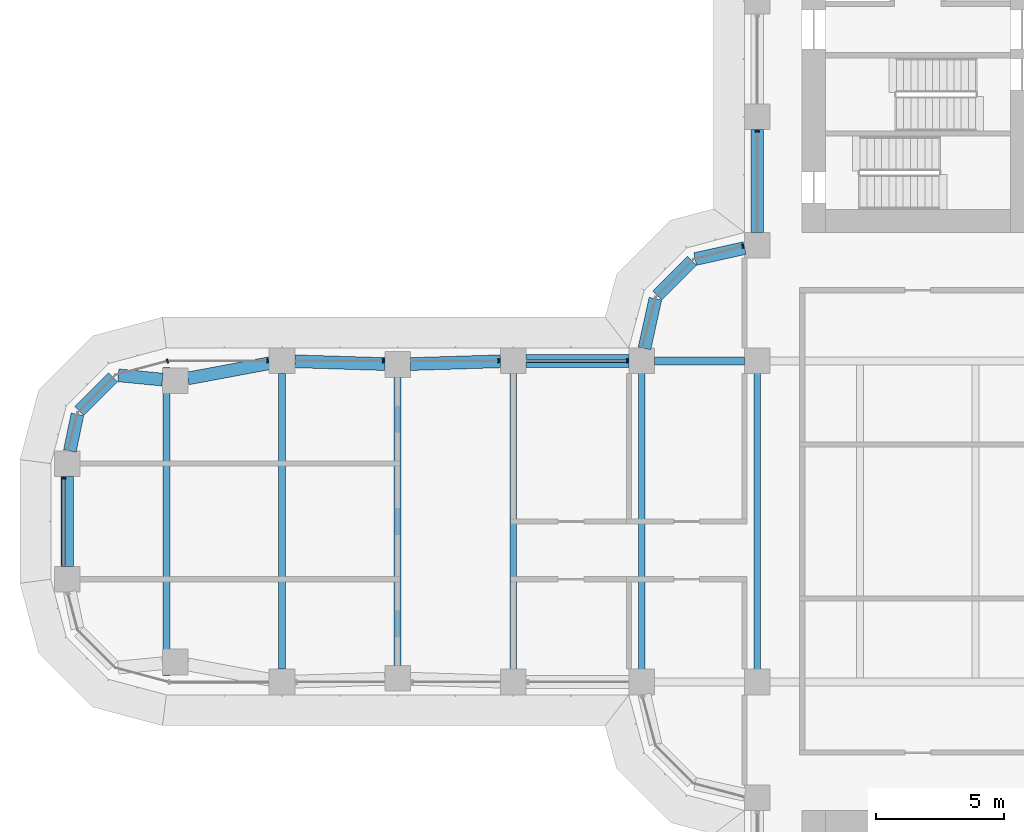
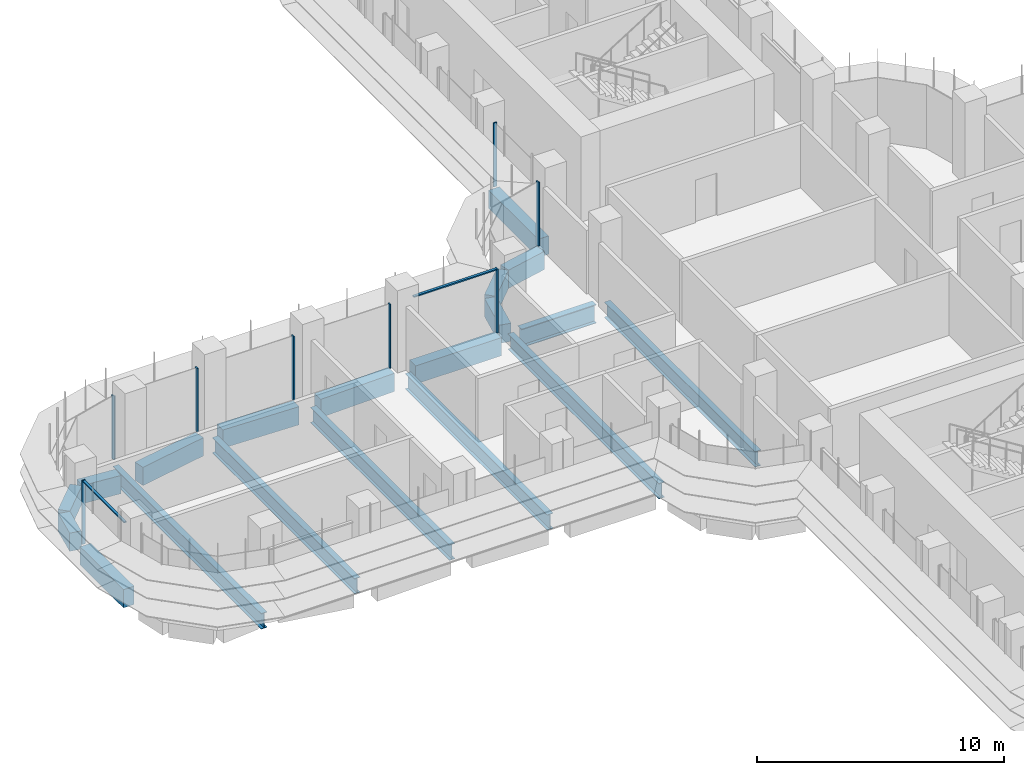
# One storey, part 6 of 23: 19 beams, 10 members, 5 elements without a shape of their own.
"""IFC4 building model written with IfcOpenShell, lengths in metres."""

from ifc_helpers import new_model, si_unit, direction, frame, origin, origin_2d, place, context, subcontext, project, spatial, polyline, rectangle, i_section, outline, extrude, source, transform, mapped, material, material_profile, profile_set, type_object, element, aggregate, save


model = new_model("IFC4")

# Units and contexts
model_context = context("Model", 3, precision=1e-05, world=origin(), true_north=direction((0.0, 1.0)))
body_context = subcontext(model_context, "Body", "Model", "MODEL_VIEW")
ifc_project = project(units=[si_unit("LENGTHUNIT", "METRE"), si_unit("AREAUNIT", "SQUARE_METRE"), si_unit("VOLUMEUNIT", "CUBIC_METRE"), si_unit("PLANEANGLEUNIT", "RADIAN"), si_unit("MASSUNIT", "GRAM", prefix="KILO")], contexts=[model_context])

# Site, building, storey
site_placement = place(None, origin())
site = spatial("IfcSite", under=ifc_project, at=site_placement, CompositionType="ELEMENT")
building_placement = place(site_placement, origin())
building = spatial("IfcBuilding", under=site, at=building_placement, Name="Zarbagh Exchange Tower", CompositionType="ELEMENT")
storey_placement = place(building_placement, frame((0.0, 0.0, 31.199951171875)))
storey = spatial("IfcBuildingStorey", under=building, at=storey_placement, Name="L06", CompositionType="ELEMENT", Elevation=31.199951171875)

# Beams
ifc_material_1 = material(Name="Steel ASTM A992 Gr 50", Category="steel")
ifc_material_profile_1 = material_profile(ifc_material_1, i_section(OverallWidth=0.2666015625, OverallDepth=0.76708984375, WebThickness=0.014892578125, FlangeThickness=0.023681640625, at=origin_2d()), Name="W30X124")
ifc_profile_set_1 = profile_set([ifc_material_profile_1], Name="Steel ASTM A992 Gr 50")
beam_type_1 = type_object("IfcBeamType", Name="Floor beam W30X124", PredefinedType="BEAM", material=ifc_profile_set_1)
for number, where, z_axis, x_axis, name in (
    (1, (-10.75, -6.09765625, -0.533447265625), (0.0, 1.0, 0.0), (-1.0, 0.0, 0.0), "Steel floor beam"),
    (2, (-6.25, -6.09765625, -0.533447265625), (0.0, 1.0, 0.0), (-1.0, 0.0, 0.0), "Steel floor beam"),
):
    element("IfcBeam", number, at=place(storey_placement, frame(where, z_axis=z_axis, x_axis=x_axis)), inside=storey, type_object=beam_type_1, Name=name, PredefinedType="BEAM", context=body_context, shape_type="SweptSolid", body=[
        extrude(i_section(OverallWidth=0.2666015625, OverallDepth=0.76708984375, WebThickness=0.014892578125, FlangeThickness=0.023681640625, at=origin_2d()), origin(), (0.0, 0.0, 1.0), 12.1953125),
    ])
beam_1_placement = place(storey_placement, frame((-15.75, -5.75, -0.533447265625), z_axis=(0.0, 1.0, 0.0), x_axis=(-1.0, 0.0, 0.0)))
element("IfcBeam", 3, at=beam_1_placement, inside=storey, type_object=beam_type_1, Name="Steel floor beam", PredefinedType="BEAM", context=body_context, shape_type="SweptSolid", body=[
    extrude(i_section(OverallWidth=0.2666015625, OverallDepth=0.76708984375, WebThickness=0.014892578125, FlangeThickness=0.023681640625, at=origin_2d()), origin(), (0.0, 0.0, 1.0), 11.5),
])
beam_2_placement = place(storey_placement, frame((-20.25, -5.610107421875, -0.533447265625), z_axis=(0.0, 1.0, 0.0), x_axis=(-1.0, 0.0, 0.0)))
element("IfcBeam", 4, at=beam_2_placement, inside=storey, type_object=beam_type_1, Name="Steel floor beam", PredefinedType="BEAM", context=body_context, shape_type="SweptSolid", body=[
    extrude(i_section(OverallWidth=0.2666015625, OverallDepth=0.76708984375, WebThickness=0.014892578125, FlangeThickness=0.023681640625, at=origin_2d()), origin(), (0.0, 0.0, 1.0), 11.22021484375),
])
beam_3_placement = place(storey_placement, frame((-24.75, -5.75, -0.533447265625), z_axis=(0.0, 1.0, 0.0), x_axis=(-1.0, 0.0, 0.0)))
element("IfcBeam", 5, at=beam_3_placement, inside=storey, type_object=beam_type_1, Name="Steel floor beam", PredefinedType="BEAM", context=body_context, shape_type="SweptSolid", body=[
    extrude(i_section(OverallWidth=0.2666015625, OverallDepth=0.76708984375, WebThickness=0.014892578125, FlangeThickness=0.023681640625, at=origin_2d()), origin(), (0.0, 0.0, 1.0), 11.5),
])
beam_4_placement = place(storey_placement, frame((-29.25, -6.0, -0.533447265625), z_axis=(0.0, 1.0, 0.0), x_axis=(-1.0, 0.0, 0.0)))
element("IfcBeam", 6, at=beam_4_placement, inside=storey, type_object=beam_type_1, Name="Steel floor beam", PredefinedType="BEAM", context=body_context, shape_type="SweptSolid", body=[
    extrude(i_section(OverallWidth=0.2666015625, OverallDepth=0.76708984375, WebThickness=0.014892578125, FlangeThickness=0.023681640625, at=origin_2d()), origin(), (0.0, 0.0, 1.0), 12.0),
])
ifc_material_profile_2 = material_profile(ifc_material_1, i_section(OverallWidth=0.3046875, OverallDepth=0.91943359375, WebThickness=0.017333984375, FlangeThickness=0.02783203125, at=origin_2d()), Name="W36X170")
ifc_profile_set_2 = profile_set([ifc_material_profile_2], Name="Steel ASTM A992 Gr 50")
beam_type_2 = type_object("IfcBeamType", Name="Floor girder W36X170", PredefinedType="BEAM", material=ifc_profile_set_2)
beam_5_placement = place(storey_placement, frame((-10.25, 6.25, -0.609619140625), z_axis=(1.0, 0.0, 0.0), x_axis=(0.0, 1.0, 0.0)))
element("IfcBeam", 7, at=beam_5_placement, inside=storey, type_object=beam_type_2, Name="Steel girder", PredefinedType="BEAM", context=body_context, shape_type="SweptSolid", body=[
    extrude(i_section(OverallWidth=0.3046875, OverallDepth=0.91943359375, WebThickness=0.017333984375, FlangeThickness=0.02783203125, at=origin_2d()), origin(), (0.0, 0.0, 1.0), 3.5),
])
ifc_material_2 = material(Name="Concrete C60/75", Category="concrete")
ifc_material_profile_3 = material_profile(ifc_material_2, rectangle(XDim=0.5, YDim=0.89990234375, at=origin_2d()), Name="RC spandrel beam 500 x 900 C60/75")
ifc_profile_set_3 = profile_set([ifc_material_profile_3], Name="Concrete C60/75")
beam_type_3 = type_object("IfcBeamType", Name="RC spandrel beam 500 x 900 C60/75", PredefinedType="SPANDREL", material=ifc_profile_set_3)
beam_6_placement = place(storey_placement, frame((-33.110107421875, -1.75, -0.599853515625), z_axis=(0.0, 1.0, 0.0), x_axis=(-1.0, 0.0, 0.0)))
element("IfcBeam", 8, at=beam_6_placement, inside=storey, type_object=beam_type_3, Name="RC spandrel beam", PredefinedType="SPANDREL", context=body_context, shape_type="SweptSolid", body=[
    extrude(rectangle(XDim=0.5, YDim=0.89990234375, at=origin_2d()), origin(), (0.0, 0.0, 1.0), 3.5),
])
beam_7_placement = place(storey_placement, frame((-33.0087890625, 2.73974609375, -0.599853515625), z_axis=(0.202068589164, 0.9793713725, 0.0), x_axis=(-0.9793713725, 0.202068589164, 0.0)))
element("IfcBeam", 9, at=beam_7_placement, inside=storey, type_object=beam_type_3, Name="RC spandrel beam", PredefinedType="SPANDREL", context=body_context, shape_type="SweptSolid", body=[
    extrude(rectangle(XDim=0.5, YDim=0.89990234375, at=origin_2d()), origin(), (0.0, 0.0, 1.0), 1.458251953125),
])
beam_8_placement = place(storey_placement, frame((-32.64599609375, 4.294189453125, -0.599853515625), z_axis=(0.707172099812, 0.707041456527, 0.0), x_axis=(-0.707041456527, 0.707172099812, 0.0)))
element("IfcBeam", 10, at=beam_8_placement, inside=storey, type_object=beam_type_3, Name="RC spandrel beam", PredefinedType="SPANDREL", context=body_context, shape_type="SweptSolid", body=[
    extrude(rectangle(XDim=0.5, YDim=0.89990234375, at=origin_2d()), origin(), (0.0, 0.0, 1.0), 1.86865234375),
])
beam_9_placement = place(storey_placement, frame((-31.123779296875, 5.6875, -0.599853515625), z_axis=(0.995431032456, -0.095483294999, 0.0), x_axis=(0.095483294999, 0.995431032456, 0.0)))
element("IfcBeam", 11, at=beam_9_placement, inside=storey, type_object=beam_type_3, Name="RC spandrel beam", PredefinedType="SPANDREL", context=body_context, shape_type="SweptSolid", body=[
    extrude(rectangle(XDim=0.5, YDim=0.89990234375, at=origin_2d()), origin(), (0.0, 0.0, 1.0), 1.725830078125),
])
beam_10_placement = place(storey_placement, frame((-28.41650390625, 5.566650390625, -0.599853515625), z_axis=(0.983069300761, 0.183234139565, 0.0), x_axis=(-0.183234139565, 0.983069300761, 0.0)))
element("IfcBeam", 12, at=beam_10_placement, inside=storey, type_object=beam_type_3, Name="RC spandrel beam", PredefinedType="SPANDREL", context=body_context, shape_type="SweptSolid", body=[
    extrude(rectangle(XDim=0.5, YDim=0.89990234375, at=origin_2d()), origin(), (0.0, 0.0, 1.0), 3.229736328125),
])
for number, where, z_axis, x_axis, name in (
    (13, (-24.250244140625, 6.234619140625, -0.599853515625), (0.999514385708, -0.031160756759, 0.0), (0.031160756759, 0.999514385708, 0.0), "RC spandrel beam"),
    (14, (-19.750244140625, 6.12548828125, -0.599853515625), (0.999514385708, 0.031160756759, 0.0), (-0.031160756759, 0.999514385708, 0.0), "RC spandrel beam"),
):
    element("IfcBeam", number, at=place(storey_placement, frame(where, z_axis=z_axis, x_axis=x_axis)), inside=storey, type_object=beam_type_3, Name=name, PredefinedType="SPANDREL", context=body_context, shape_type="SweptSolid", body=[
        extrude(rectangle(XDim=0.5, YDim=0.89990234375, at=origin_2d()), origin(), (0.0, 0.0, 1.0), 3.502197265625),
    ])
beam_11_placement = place(storey_placement, frame((-15.25, 6.25, -0.599853515625), z_axis=(1.0, 0.0, 0.0), x_axis=(0.0, 1.0, 0.0)))
element("IfcBeam", 15, at=beam_11_placement, inside=storey, type_object=beam_type_3, Name="RC spandrel beam", PredefinedType="SPANDREL", context=body_context, shape_type="SweptSolid", body=[
    extrude(rectangle(XDim=0.5, YDim=0.89990234375, at=origin_2d()), origin(), (0.0, 0.0, 1.0), 4.0),
])
beam_12_placement = place(storey_placement, frame((-10.64208984375, 6.73828125, -0.599853515625), z_axis=(0.216081063242, 0.976375426825, 0.0), x_axis=(-0.976375426825, 0.216081063242, 0.0)))
element("IfcBeam", 16, at=beam_12_placement, inside=storey, type_object=beam_type_3, Name="RC spandrel beam", PredefinedType="SPANDREL", context=body_context, shape_type="SweptSolid", body=[
    extrude(rectangle(XDim=0.5, YDim=0.89990234375, at=origin_2d()), origin(), (0.0, 0.0, 1.0), 1.978271484375),
])
beam_13_placement = place(storey_placement, frame((-10.147216796875, 8.792724609375, -0.599853515625), z_axis=(0.707106781187, 0.707106781187, 0.0), x_axis=(-0.707106781187, 0.707106781187, 0.0)))
element("IfcBeam", 17, at=beam_13_placement, inside=storey, type_object=beam_type_3, Name="RC spandrel beam", PredefinedType="SPANDREL", context=body_context, shape_type="SweptSolid", body=[
    extrude(rectangle(XDim=0.5, YDim=0.89990234375, at=origin_2d()), origin(), (0.0, 0.0, 1.0), 1.91552734375),
])
beam_14_placement = place(storey_placement, frame((-8.669921875, 10.214599609375, -0.599853515625), z_axis=(0.976375426825, 0.216081063242, 0.0), x_axis=(-0.216081063242, 0.976375426825, 0.0)))
element("IfcBeam", 18, at=beam_14_placement, inside=storey, type_object=beam_type_3, Name="RC spandrel beam", PredefinedType="SPANDREL", context=body_context, shape_type="SweptSolid", body=[
    extrude(rectangle(XDim=0.5, YDim=0.89990234375, at=origin_2d()), origin(), (0.0, 0.0, 1.0), 1.978271484375),
])
beam_15_placement = place(storey_placement, frame((-6.25, 11.25, -0.599853515625), z_axis=(0.0, 1.0, 0.0), x_axis=(-1.0, 0.0, 0.0)))
element("IfcBeam", 19, at=beam_15_placement, inside=storey, type_object=beam_type_3, Name="RC spandrel beam", PredefinedType="SPANDREL", context=body_context, shape_type="SweptSolid", body=[
    extrude(rectangle(XDim=0.5, YDim=0.89990234375, at=origin_2d()), origin(), (0.0, 0.0, 1.0), 4.0),
])

# Curtain wall, member
ifc_material_3 = material(Name="Anodised aluminium frame and glazing", Category="aluminium")
curtain_wall_type = type_object("IfcCurtainWallType", Name="CWA Ribbon glazing, lower zones", PredefinedType="NOTDEFINED", material=ifc_material_3)
curtain_wall_1_placement = place(storey_placement, origin())
curtain_wall_1 = element("IfcCurtainWall", 20, at=curtain_wall_1_placement, inside=storey, type_object=curtain_wall_type, Name="CWA28 curtain wall", PredefinedType="NOTDEFINED")
ifc_material_4 = material(Name="Anodised aluminium frame", Category="aluminium")
member_type_1 = type_object("IfcMemberType", Name="MUA Mullion, anodised aluminium frame", PredefinedType="MULLION", material=ifc_material_4)
shared_shape_1 = source(origin(), body_context, "Body", "SweptSolid", [
    extrude(outline(polyline([(0.0, -0.080078125), (0.06005859375, -0.080078125), (0.06005859375, 0.080078125), (0.0, 0.080078125), (0.0, -0.080078125)])), origin(), (0.0, 0.0, 1.0), 3.14990234375),
])
placement = place(storey_placement, origin())
member_1 = element("IfcMember", 21, at=placement, type_object=member_type_1, Name="CWA28 mullion 5.1", PredefinedType="MULLION", context=body_context, shape_type="MappedRepresentation", body=[
    mapped(shared_shape_1, transform((-6.25, 15.2099609375, 0.0), x_axis=(0.0, -1.0, 0.0), y_axis=(1.0, 0.0, 0.0), z_axis=(0.0, 0.0, 1.0))),
])
aggregate(curtain_wall_1, [member_1])

curtain_wall_2_placement = place(storey_placement, origin())
curtain_wall_2 = element("IfcCurtainWall", 22, at=curtain_wall_2_placement, inside=storey, type_object=curtain_wall_type, Name="CWA29 curtain wall", PredefinedType="NOTDEFINED")
member_2 = element("IfcMember", 23, at=placement, type_object=member_type_1, Name="CWA29 mullion 1.1", PredefinedType="MULLION", context=body_context, shape_type="MappedRepresentation", body=[
    mapped(shared_shape_1, transform((-6.7900390625, 10.7216796875, 0.0), x_axis=(-0.965924289636, -0.258824779902, 0.0), y_axis=(0.258824779902, -0.965924289636, 0.0), z_axis=(0.0, 0.0, 1.0))),
])
aggregate(curtain_wall_2, [member_2])

# Curtain wall, members
curtain_wall_3_placement = place(storey_placement, origin())
curtain_wall_3 = element("IfcCurtainWall", 24, at=curtain_wall_3_placement, inside=storey, type_object=curtain_wall_type, Name="CWA32 curtain wall", PredefinedType="NOTDEFINED")
member_3 = element("IfcMember", 25, at=placement, type_object=member_type_1, Name="CWA32 mullion 1.1", PredefinedType="MULLION", context=body_context, shape_type="MappedRepresentation", body=[
    mapped(shared_shape_1, transform((-11.2900390625, 6.25, 0.0), x_axis=(-1.0, 0.0, 0.0), y_axis=(0.0, -1.0, 0.0), z_axis=(0.0, 0.0, 1.0))),
])
member_4 = element("IfcMember", 26, at=placement, type_object=member_type_1, Name="CWA32 mullion 2.1", PredefinedType="MULLION", context=body_context, shape_type="MappedRepresentation", body=[
    mapped(shared_shape_1, transform((-16.2900390625, 6.25, 0.0), x_axis=(-1.0, 0.0, 0.0), y_axis=(0.0, -1.0, 0.0), z_axis=(0.0, 0.0, 1.0))),
])
member_5 = element("IfcMember", 27, at=placement, type_object=member_type_1, Name="CWA32 mullion 3.1", PredefinedType="MULLION", context=body_context, shape_type="MappedRepresentation", body=[
    mapped(shared_shape_1, transform((-20.7900390625, 6.25, 0.0), x_axis=(-1.0, 0.0, 0.0), y_axis=(0.0, -1.0, 0.0), z_axis=(0.0, 0.0, 1.0))),
])
member_6 = element("IfcMember", 28, at=placement, type_object=member_type_1, Name="CWA32 mullion 4.1", PredefinedType="MULLION", context=body_context, shape_type="MappedRepresentation", body=[
    mapped(shared_shape_1, transform((-25.2900390625, 6.25, 0.0), x_axis=(-1.0, 0.0, 0.0), y_axis=(0.0, -1.0, 0.0), z_axis=(0.0, 0.0, 1.0))),
])

# Curtain wall, member
curtain_wall_4_placement = place(storey_placement, origin())
curtain_wall_4 = element("IfcCurtainWall", 29, at=curtain_wall_4_placement, inside=storey, type_object=curtain_wall_type, Name="CWA33 curtain wall", PredefinedType="NOTDEFINED")
member_7 = element("IfcMember", 30, at=placement, type_object=member_type_1, Name="CWA33 mullion 1.1", PredefinedType="MULLION", context=body_context, shape_type="MappedRepresentation", body=[
    mapped(shared_shape_1, transform((-29.18408203125, 6.25, 0.0), x_axis=(-0.965924289636, -0.258824779902, 0.0), y_axis=(0.258824779902, -0.965924289636, 0.0), z_axis=(0.0, 0.0, 1.0))),
])
aggregate(curtain_wall_4, [member_7])

curtain_wall_5_placement = place(storey_placement, origin())
curtain_wall_5 = element("IfcCurtainWall", 31, at=curtain_wall_5_placement, inside=storey, type_object=curtain_wall_type, Name="CWA36 curtain wall", PredefinedType="NOTDEFINED")
member_8 = element("IfcMember", 32, at=placement, type_object=member_type_1, Name="CWA36 mullion 1.1", PredefinedType="MULLION", context=body_context, shape_type="MappedRepresentation", body=[
    mapped(shared_shape_1, transform((-33.25, 1.7099609375, 0.0), x_axis=(0.0, -1.0, 0.0), y_axis=(1.0, 0.0, 0.0), z_axis=(0.0, 0.0, 1.0))),
])

# Member
member_type_2 = type_object("IfcMemberType", Name="TRA Transom, anodised aluminium frame", PredefinedType="USERDEFINED", material=ifc_material_4)
shared_shape_2 = source(origin(), body_context, "Body", "SweptSolid", [
    extrude(outline(polyline([(-0.06005859375, -0.06005859375), (0.0, -0.06005859375), (0.0, 0.06005859375), (-0.06005859375, 0.06005859375), (-0.06005859375, -0.06005859375)])), origin(), (0.0, 0.0, 1.0), 3.860107421875),
])
member_9 = element("IfcMember", 33, at=placement, type_object=member_type_2, Name="CWA32 transom 1.1", ObjectType="TRANSOM", PredefinedType="USERDEFINED", context=body_context, shape_type="MappedRepresentation", body=[
    mapped(shared_shape_2, transform((-11.35009765625, 6.25, 3.150146484375), x_axis=(0.0, 0.0, 1.0), y_axis=(0.0, 1.0, 0.0), z_axis=(-1.0, 0.0, 0.0))),
])

aggregate(curtain_wall_3, [member_3, member_9, member_4, member_5, member_6])

shared_shape_3 = source(origin(), body_context, "Body", "SweptSolid", [
    extrude(outline(polyline([(-0.06005859375, -0.06005859375), (0.0, -0.06005859375), (0.0, 0.06005859375), (-0.06005859375, 0.06005859375), (-0.06005859375, -0.06005859375)])), origin(), (0.0, 0.0, 1.0), 3.360107421875),
])
member_10 = element("IfcMember", 34, at=placement, type_object=member_type_2, Name="CWA36 transom 1.1", ObjectType="TRANSOM", PredefinedType="USERDEFINED", context=body_context, shape_type="MappedRepresentation", body=[
    mapped(shared_shape_3, transform((-33.25, 1.64990234375, 3.150146484375), x_axis=(0.0, 0.0, 1.0), y_axis=(-1.0, 0.0, 0.0), z_axis=(0.0, -1.0, 0.0))),
])

aggregate(curtain_wall_5, [member_8, member_10])

save(model, "model.ifc")
